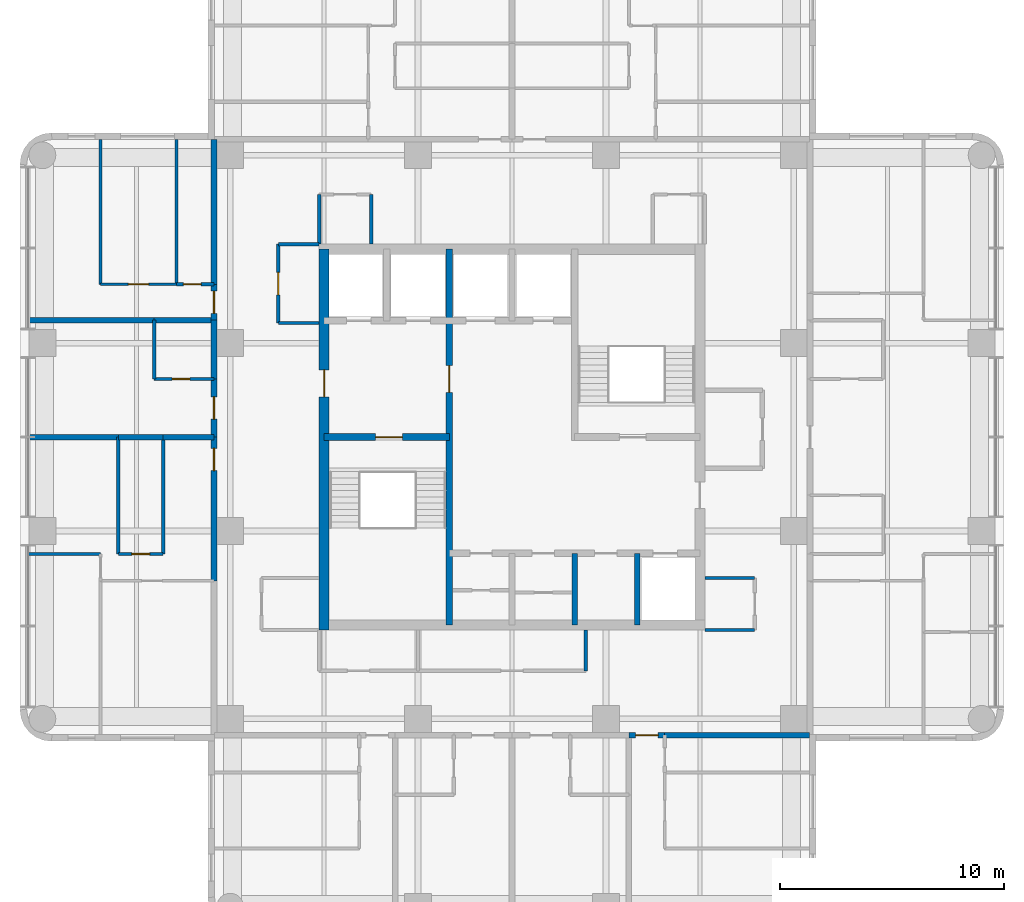
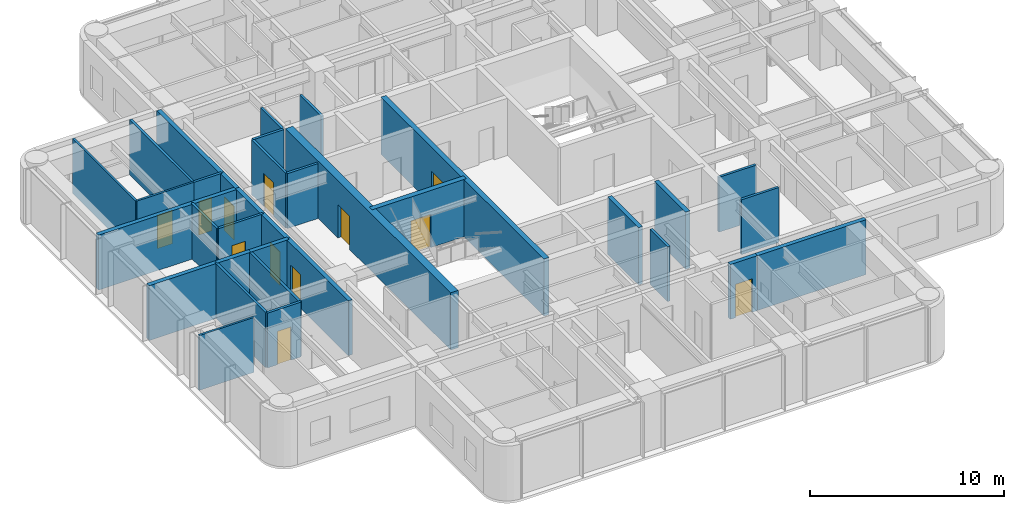
# One storey, part 5 of 10: 35 walls, 12 doors, 12 openings.
"""IFC4 building model written with IfcOpenShell, lengths in metres."""

from ifc_helpers import new_model, si_unit, direction, frame, frame_2d, origin, place, context, subcontext, project, spatial, rectangle, extrude, material, layer, layer_set, type_object, element, fill, save


model = new_model("IFC4")

# Units and contexts
model_context = context("Model", 3, precision=1e-05, world=origin(), true_north=direction((0.0, 1.0)))
body_context = subcontext(model_context, "Body", "Model", "MODEL_VIEW")
ifc_project = project(units=[si_unit("LENGTHUNIT", "METRE"), si_unit("AREAUNIT", "SQUARE_METRE"), si_unit("VOLUMEUNIT", "CUBIC_METRE"), si_unit("PLANEANGLEUNIT", "RADIAN"), si_unit("MASSUNIT", "GRAM", prefix="KILO")], contexts=[model_context])

# Site, building, storey
site_placement = place(None, origin())
site = spatial("IfcSite", under=ifc_project, at=site_placement, CompositionType="ELEMENT")
building_placement = place(site_placement, origin())
building = spatial("IfcBuilding", under=site, at=building_placement, Name="Torre Alcanfor", CompositionType="ELEMENT")
storey_placement = place(building_placement, frame((0.0, 0.0, 282.89990234375)))
storey = spatial("IfcBuildingStorey", under=building, at=storey_placement, Name="L74", CompositionType="ELEMENT", Elevation=282.89990234375)

# Wall, opening, door
ifc_material_1 = material(Name="Concrete block masonry, hollow blocks NMX-C-404 9 MPa", Category="masonry")
ifc_layer_1 = layer(ifc_material_1, 0.25)
ifc_layer_set_1 = layer_set([ifc_layer_1], Name="Apartment entrance wall 250 EI 60")
wall_type_1 = type_object("IfcWallType", Name="Apartment entrance wall 250 EI 60", PredefinedType="PARTITIONING", material=ifc_layer_set_1)
wall_1_placement = place(storey_placement, frame((36.22900390625, 16.074951171875, 0.0), z_axis=(0.0, 0.0, 1.0), x_axis=(-1.0, 0.0, 0.0)))
wall_1 = element("IfcWall", 1, at=wall_1_placement, inside=storey, type_object=wall_type_1, Name="Partition L74-CORR / L74-S1B-LIVING", PredefinedType="PARTITIONING", context=body_context, shape_type="SweptSolid", body=[
    extrude(rectangle(XDim=1.60009765625, YDim=0.25, at=frame_2d((0.800048828125, 0.0))), origin(), (0.0, 0.0, 1.0), 3.4501953125),
])
opening_1_placement = place(wall_1_placement, frame((0.300048828125, 0.0, 0.0)))
opening_1 = element("IfcOpeningElement", 2, at=opening_1_placement, cuts=wall_1, Name="Opening D-A1", PredefinedType="OPENING", context=body_context, shape_type="SweptSolid", body=[
    extrude(rectangle(XDim=1.0, YDim=2.10009765625, at=frame_2d((0.5, 1.050048828125))), frame((0.0, 0.135009765625, 0.0), z_axis=(0.0, -1.0, 0.0), x_axis=(1.0, 0.0, 0.0)), (0.0, 0.0, 1.0), 0.27001953125),
])
ifc_material_2 = material(Name="Galvanised steel sheet ASTM A653", Category="steel")
door_type_1 = type_object("IfcDoorType", Name="Apartment entrance door FD60 1000x2100", OperationType="SINGLE_SWING_LEFT", PredefinedType="DOOR", material=ifc_material_2)
door_1_placement = place(opening_1_placement, origin())
door_1 = element("IfcDoor", 3, at=door_1_placement, inside=storey, type_object=door_type_1, Name="Apartment entrance L74-S1B", OperationType="SINGLE_SWING_LEFT", OverallHeight=2.10009765625, OverallWidth=1.0, PredefinedType="DOOR", context=body_context, shape_type="SweptSolid", body=[
    extrude(rectangle(XDim=1.0, YDim=2.10009765625, at=frame_2d((0.5, 1.050048828125))), frame((0.0, 0.02490234375, 0.0), z_axis=(0.0, -1.0, 0.0), x_axis=(1.0, 0.0, 0.0)), (0.0, 0.0, 1.0), 0.050048828125),
])
fill(opening_1, door_1)

# Wall
wall_2_placement = place(storey_placement, frame((42.699951171875, 16.074951171875, 0.0), z_axis=(0.0, 0.0, 1.0), x_axis=(-1.0, 0.0, 0.0)))
element("IfcWall", 4, at=wall_2_placement, inside=storey, type_object=wall_type_1, Name="Partition L74-CORR / L74-S1B-BATH", PredefinedType="PARTITIONING", context=body_context, shape_type="SweptSolid", body=[
    extrude(rectangle(XDim=6.470947265625, YDim=0.25, at=frame_2d((3.2353515625, 0.0))), origin(), (0.0, 0.0, 1.0), 3.4501953125),
])

# Wall, opening, door
wall_3_placement = place(storey_placement, frame((16.074951171875, 22.970947265625, 0.0), z_axis=(0.0, 0.0, 1.0), x_axis=(0.0, 1.0, 0.0)))
wall_3 = element("IfcWall", 5, at=wall_3_placement, inside=storey, type_object=wall_type_1, Name="Partition L74-CORR / L74-W1-LIVING", PredefinedType="PARTITIONING", context=body_context, shape_type="SweptSolid", body=[
    extrude(rectangle(XDim=6.428955078125, YDim=0.25, at=frame_2d((3.21435546875, 0.0))), origin(), (0.0, 0.0, 1.0), 3.4501953125),
])
opening_2_placement = place(wall_3_placement, frame((4.928955078125, 0.0, 0.0)))
opening_2 = element("IfcOpeningElement", 6, at=opening_2_placement, cuts=wall_3, Name="Opening D-A1", PredefinedType="OPENING", context=body_context, shape_type="SweptSolid", body=[
    extrude(rectangle(XDim=1.0, YDim=2.10009765625, at=frame_2d((0.5, 1.050048828125))), frame((0.0, 0.135009765625, 0.0), z_axis=(0.0, -1.0, 0.0), x_axis=(1.0, 0.0, 0.0)), (0.0, 0.0, 1.0), 0.27001953125),
])
door_2_placement = place(opening_2_placement, origin())
door_2 = element("IfcDoor", 7, at=door_2_placement, inside=storey, type_object=door_type_1, Name="Apartment entrance L74-W1", OperationType="SINGLE_SWING_RIGHT", OverallHeight=2.10009765625, OverallWidth=1.0, PredefinedType="DOOR", context=body_context, shape_type="SweptSolid", body=[
    extrude(rectangle(XDim=1.0, YDim=2.10009765625, at=frame_2d((0.5, 1.050048828125))), frame((0.0, 0.02490234375, 0.0), z_axis=(0.0, -1.0, 0.0), x_axis=(1.0, 0.0, 0.0)), (0.0, 0.0, 1.0), 0.050048828125),
])
fill(opening_2, door_2)

wall_4_placement = place(storey_placement, frame((16.074951171875, 29.39990234375, 0.0), z_axis=(0.0, 0.0, 1.0), x_axis=(0.0, 1.0, 0.0)))
wall_4 = element("IfcWall", 8, at=wall_4_placement, inside=storey, type_object=wall_type_1, Name="Partition L74-CORR / L74-W2A-STUDIO", PredefinedType="PARTITIONING", context=body_context, shape_type="SweptSolid", body=[
    extrude(rectangle(XDim=2.60009765625, YDim=0.25, at=frame_2d((1.300048828125, 0.0))), origin(), (0.0, 0.0, 1.0), 3.4501953125),
])
opening_3_placement = place(wall_4_placement, frame((0.800048828125, 0.0, 0.0)))
opening_3 = element("IfcOpeningElement", 9, at=opening_3_placement, cuts=wall_4, Name="Opening D-A1", PredefinedType="OPENING", context=body_context, shape_type="SweptSolid", body=[
    extrude(rectangle(XDim=1.0, YDim=2.10009765625, at=frame_2d((0.5, 1.050048828125))), frame((0.0, 0.135009765625, 0.0), z_axis=(0.0, -1.0, 0.0), x_axis=(1.0, 0.0, 0.0)), (0.0, 0.0, 1.0), 0.27001953125),
])
door_3_placement = place(opening_3_placement, origin())
door_3 = element("IfcDoor", 10, at=door_3_placement, inside=storey, type_object=door_type_1, Name="Apartment entrance L74-W2A", OperationType="SINGLE_SWING_LEFT", OverallHeight=2.10009765625, OverallWidth=1.0, PredefinedType="DOOR", context=body_context, shape_type="SweptSolid", body=[
    extrude(rectangle(XDim=1.0, YDim=2.10009765625, at=frame_2d((0.5, 1.050048828125))), frame((0.0, 0.02490234375, 0.0), z_axis=(0.0, -1.0, 0.0), x_axis=(1.0, 0.0, 0.0)), (0.0, 0.0, 1.0), 0.050048828125),
])
fill(opening_3, door_3)

# Wall
wall_5_placement = place(storey_placement, frame((16.074951171875, 32.0, 0.0), z_axis=(0.0, 0.0, 1.0), x_axis=(0.0, 1.0, 0.0)))
element("IfcWall", 11, at=wall_5_placement, inside=storey, type_object=wall_type_1, Name="Partition L74-CORR / L74-W2A-BATH", PredefinedType="PARTITIONING", context=body_context, shape_type="SweptSolid", body=[
    extrude(rectangle(XDim=2.62890625, YDim=0.25, at=frame_2d((1.314453125, 0.0))), origin(), (0.0, 0.0, 1.0), 3.4501953125),
])

# Wall, opening, door
wall_6_placement = place(storey_placement, frame((16.074951171875, 34.62890625, 0.0), z_axis=(0.0, 0.0, 1.0), x_axis=(0.0, 1.0, 0.0)))
wall_6 = element("IfcWall", 12, at=wall_6_placement, inside=storey, type_object=wall_type_1, Name="Partition L74-CORR / L74-W2B-LIVING", PredefinedType="PARTITIONING", context=body_context, shape_type="SweptSolid", body=[
    extrude(rectangle(XDim=1.60009765625, YDim=0.25, at=frame_2d((0.800048828125, 0.0))), origin(), (0.0, 0.0, 1.0), 3.4501953125),
])
opening_4_placement = place(wall_6_placement, frame((0.300048828125, 0.0, 0.0)))
opening_4 = element("IfcOpeningElement", 13, at=opening_4_placement, cuts=wall_6, Name="Opening D-A1", PredefinedType="OPENING", context=body_context, shape_type="SweptSolid", body=[
    extrude(rectangle(XDim=1.0, YDim=2.10009765625, at=frame_2d((0.5, 1.050048828125))), frame((0.0, 0.135009765625, 0.0), z_axis=(0.0, -1.0, 0.0), x_axis=(1.0, 0.0, 0.0)), (0.0, 0.0, 1.0), 0.27001953125),
])
door_4_placement = place(opening_4_placement, origin())
door_4 = element("IfcDoor", 14, at=door_4_placement, inside=storey, type_object=door_type_1, Name="Apartment entrance L74-W2B", OperationType="SINGLE_SWING_LEFT", OverallHeight=2.10009765625, OverallWidth=1.0, PredefinedType="DOOR", context=body_context, shape_type="SweptSolid", body=[
    extrude(rectangle(XDim=1.0, YDim=2.10009765625, at=frame_2d((0.5, 1.050048828125))), frame((0.0, 0.02490234375, 0.0), z_axis=(0.0, -1.0, 0.0), x_axis=(1.0, 0.0, 0.0)), (0.0, 0.0, 1.0), 0.050048828125),
])
fill(opening_4, door_4)

# Walls
wall_7_placement = place(storey_placement, frame((16.074951171875, 36.22900390625, 0.0), z_axis=(0.0, 0.0, 1.0), x_axis=(0.0, 1.0, 0.0)))
element("IfcWall", 15, at=wall_7_placement, inside=storey, type_object=wall_type_1, Name="Partition L74-CORR / L74-W2B-BATH", PredefinedType="PARTITIONING", context=body_context, shape_type="SweptSolid", body=[
    extrude(rectangle(XDim=6.470947265625, YDim=0.25, at=frame_2d((3.2353515625, 0.0))), origin(), (0.0, 0.0, 1.0), 3.4501953125),
])
ifc_material_3 = material(Name="Gypsum board on steel studs", Category="steel")
ifc_layer_2 = layer(ifc_material_3, 0.1201171875)
ifc_layer_set_2 = layer_set([ifc_layer_2], Name="Apartment partition 120")
wall_type_2 = type_object("IfcWallType", Name="Apartment partition 120", PredefinedType="PARTITIONING", material=ifc_layer_set_2)
wall_8_placement = place(storey_placement, frame((11.0, 24.1708984375, 0.0), z_axis=(0.0, 0.0, 1.0), x_axis=(-1.0, 0.0, 0.0)))
element("IfcWall", 16, at=wall_8_placement, inside=storey, type_object=wall_type_2, Name="Partition L74-W1-LIVING / L74-W1-MASTER", PredefinedType="PARTITIONING", context=body_context, shape_type="SweptSolid", body=[
    extrude(rectangle(XDim=3.25, YDim=0.1201171875, at=frame_2d((1.625, 0.0))), origin(), (0.0, 0.0, 1.0), 3.4501953125),
])
wall_9_placement = place(storey_placement, frame((11.0, 42.699951171875, 0.0), z_axis=(0.0, 0.0, 1.0), x_axis=(0.0, -1.0, 0.0)))
element("IfcWall", 17, at=wall_9_placement, inside=storey, type_object=wall_type_2, Name="Partition L74-W2B-LIVING / L74-W2B-MASTER", PredefinedType="PARTITIONING", context=body_context, shape_type="SweptSolid", body=[
    extrude(rectangle(XDim=6.470947265625, YDim=0.1201171875, at=frame_2d((3.2353515625, 0.0))), origin(), (0.0, 0.0, 1.0), 3.4501953125),
])

# Wall, opening, door
wall_10_placement = place(storey_placement, frame((11.0, 36.22900390625, 0.0), z_axis=(0.0, 0.0, 1.0), x_axis=(1.0, 0.0, 0.0)))
wall_10 = element("IfcWall", 18, at=wall_10_placement, inside=storey, type_object=wall_type_2, Name="Partition L74-W2B-LIVING / L74-W2B-MASTER", PredefinedType="PARTITIONING", context=body_context, shape_type="SweptSolid", body=[
    extrude(rectangle(XDim=3.39990234375, YDim=0.1201171875, at=frame_2d((1.699951171875, 0.0))), origin(), (0.0, 0.0, 1.0), 3.4501953125),
])
opening_5_placement = place(wall_10_placement, frame((1.25, 0.0, 0.0)))
opening_5 = element("IfcOpeningElement", 19, at=opening_5_placement, cuts=wall_10, Name="Opening D-R1", PredefinedType="OPENING", context=body_context, shape_type="SweptSolid", body=[
    extrude(rectangle(XDim=0.89990234375, YDim=2.10009765625, at=frame_2d((0.449951171875, 1.050048828125))), frame((0.0, 0.070068359375, 0.0), z_axis=(0.0, -1.0, 0.0), x_axis=(1.0, 0.0, 0.0)), (0.0, 0.0, 1.0), 0.14013671875),
])
ifc_material_4 = material(Name="Timber", Category="wood")
door_type_2 = type_object("IfcDoorType", Name="Internal door 900x2100", OperationType="SINGLE_SWING_LEFT", PredefinedType="DOOR", material=ifc_material_4)
door_5_placement = place(opening_5_placement, origin())
door_5 = element("IfcDoor", 20, at=door_5_placement, inside=storey, type_object=door_type_2, Name="Door L74-W2B master", OperationType="SINGLE_SWING_LEFT", OverallHeight=2.10009765625, OverallWidth=0.89990234375, PredefinedType="DOOR", context=body_context, shape_type="SweptSolid", body=[
    extrude(rectangle(XDim=0.89990234375, YDim=2.10009765625, at=frame_2d((0.449951171875, 1.050048828125))), frame((0.0, 0.02490234375, 0.0), z_axis=(0.0, -1.0, 0.0), x_axis=(1.0, 0.0, 0.0)), (0.0, 0.0, 1.0), 0.050048828125),
])
fill(opening_5, door_5)

ifc_material_5 = material(Name="Concrete f'c 70 MPa", Category="concrete")
ifc_layer_3 = layer(ifc_material_5, 0.300048828125)
ifc_layer_set_3 = layer_set([ifc_layer_3], Name="Core inner wall 300 f'c70")
wall_type_3 = type_object("IfcWallType", Name="Core inner wall 300 f'c70", PredefinedType="SHEAR", material=ifc_layer_set_3)
wall_11_placement = place(storey_placement, frame((26.60009765625, 21.0, 0.0), z_axis=(0.0, 0.0, 1.0), x_axis=(0.0, 1.0, 0.0)))
wall_11 = element("IfcWall", 21, at=wall_11_placement, inside=storey, type_object=wall_type_3, Name="Core wall X266 L74", PredefinedType="SHEAR", context=body_context, shape_type="SweptSolid", body=[
    extrude(rectangle(XDim=16.800048828125, YDim=0.300048828125, at=frame_2d((8.39990234375, 0.0))), origin(), (0.0, 0.0, 1.0), 3.60009765625),
])
opening_6_placement = place(wall_11_placement, frame((10.39990234375, 0.0, 0.0)))
opening_6 = element("IfcOpeningElement", 22, at=opening_6_placement, cuts=wall_11, Name="Opening D-L1", PredefinedType="OPENING", context=body_context, shape_type="SweptSolid", body=[
    extrude(rectangle(XDim=1.199951171875, YDim=2.10009765625, at=frame_2d((0.60009765625, 1.050048828125))), frame((0.0, 0.159912109375, 0.0), z_axis=(0.0, -1.0, 0.0), x_axis=(1.0, 0.0, 0.0)), (0.0, 0.0, 1.0), 0.320068359375),
])
ifc_material_6 = material(Name="Galvanised steel sheet ASTM A653", Category="steel")
door_type_3 = type_object("IfcDoorType", Name="Lobby door FD120 1200x2100", OperationType="SINGLE_SWING_LEFT", PredefinedType="DOOR", material=ifc_material_6)
door_6_placement = place(opening_6_placement, origin())
door_6 = element("IfcDoor", 23, at=door_6_placement, inside=storey, type_object=door_type_3, Name="Lift lobby door L74", OperationType="SINGLE_SWING_LEFT", OverallHeight=2.10009765625, OverallWidth=1.199951171875, PredefinedType="DOOR", context=body_context, shape_type="SweptSolid", body=[
    extrude(rectangle(XDim=1.199951171875, YDim=2.10009765625, at=frame_2d((0.60009765625, 1.050048828125))), frame((0.0, 0.02490234375, 0.0), z_axis=(0.0, -1.0, 0.0), x_axis=(1.0, 0.0, 0.0)), (0.0, 0.0, 1.0), 0.050048828125),
])
fill(opening_6, door_6)

wall_12_placement = place(storey_placement, frame((21.0, 29.39990234375, 0.0), z_axis=(0.0, 0.0, 1.0), x_axis=(1.0, 0.0, 0.0)))
wall_12 = element("IfcWall", 24, at=wall_12_placement, inside=storey, type_object=wall_type_3, Name="Core wall Y294W L74", PredefinedType="SHEAR", context=body_context, shape_type="SweptSolid", body=[
    extrude(rectangle(XDim=5.60009765625, YDim=0.300048828125, at=frame_2d((2.800048828125, 0.0))), origin(), (0.0, 0.0, 1.0), 3.60009765625),
])
opening_7_placement = place(wall_12_placement, frame((2.300048828125, 0.0, 0.0)))
opening_7 = element("IfcOpeningElement", 25, at=opening_7_placement, cuts=wall_12, Name="Opening D-S2", PredefinedType="OPENING", context=body_context, shape_type="SweptSolid", body=[
    extrude(rectangle(XDim=1.199951171875, YDim=2.10009765625, at=frame_2d((0.60009765625, 1.050048828125))), frame((0.0, 0.159912109375, 0.0), z_axis=(0.0, -1.0, 0.0), x_axis=(1.0, 0.0, 0.0)), (0.0, 0.0, 1.0), 0.320068359375),
])
ifc_material_7 = material(Name="Galvanised steel sheet ASTM A653", Category="steel")
door_type_4 = type_object("IfcDoorType", Name="Stair enclosure door FD120 1200x2100", OperationType="SINGLE_SWING_LEFT", PredefinedType="DOOR", material=ifc_material_7)
door_7_placement = place(opening_7_placement, frame((1.199951171875, 0.0, 0.0), z_axis=(0.0, 0.0, 1.0), x_axis=(-1.0, 0.0, 0.0)))
door_7 = element("IfcDoor", 26, at=door_7_placement, inside=storey, type_object=door_type_4, Name="Stair S1 door L74", OperationType="SINGLE_SWING_LEFT", OverallHeight=2.10009765625, OverallWidth=1.199951171875, PredefinedType="DOOR", context=body_context, shape_type="SweptSolid", body=[
    extrude(rectangle(XDim=1.199951171875, YDim=2.10009765625, at=frame_2d((0.599853515625, 1.050048828125))), frame((0.0, 0.025146484375, 0.0), z_axis=(0.0, -1.0, 0.0), x_axis=(1.0, 0.0, 0.0)), (0.0, 0.0, 1.0), 0.050048828125),
])
fill(opening_7, door_7)

# Walls
ifc_material_8 = material(Name="Concrete f'c 70 MPa", Category="concrete")
ifc_layer_4 = layer(ifc_material_8, 0.25)
ifc_layer_set_4 = layer_set([ifc_layer_4], Name="Core shaft wall 250 f'c70")
wall_type_4 = type_object("IfcWallType", Name="Core shaft wall 250 f'c70", PredefinedType="SHEAR", material=ifc_layer_set_4)
for number, where, z_axis, x_axis, name in (
    (27, (32.199951171875, 21.0, 0.0), (0.0, 0.0, 1.0), (0.0, 1.0, 0.0), "Core wall X322S L74"),
    (28, (35.0, 21.0, 0.0), (0.0, 0.0, 1.0), (0.0, 1.0, 0.0), "Core wall X350S L74"),
):
    element("IfcWall", number, at=place(storey_placement, frame(where, z_axis=z_axis, x_axis=x_axis)), inside=storey, type_object=wall_type_4, Name=name, PredefinedType="SHEAR", context=body_context, shape_type="SweptSolid", body=[
        extrude(rectangle(XDim=3.199951171875, YDim=0.25, at=frame_2d((1.60009765625, 0.0))), origin(), (0.0, 0.0, 1.0), 3.60009765625),
    ])

# Wall, opening, door
ifc_material_9 = material(Name="Concrete f'c 70 MPa", Category="concrete")
ifc_layer_5 = layer(ifc_material_9, 0.449951171875)
ifc_layer_set_5 = layer_set([ifc_layer_5], Name="Core wall 450 f'c70")
wall_type_5 = type_object("IfcWallType", Name="Core wall 450 f'c70", PredefinedType="SHEAR", material=ifc_layer_set_5)
wall_13_placement = place(storey_placement, frame((21.0, 37.800048828125, 0.0), z_axis=(0.0, 0.0, 1.0), x_axis=(0.0, -1.0, 0.0)))
wall_13 = element("IfcWall", 29, at=wall_13_placement, inside=storey, type_object=wall_type_5, Name="Core wall OUT-W L74", PredefinedType="SHEAR", context=body_context, shape_type="SweptSolid", body=[
    extrude(rectangle(XDim=17.025146484375, YDim=0.449951171875, at=frame_2d((8.5126953125, 0.0))), origin(), (0.0, 0.0, 1.0), 3.60009765625),
])
opening_8_placement = place(wall_13_placement, frame((5.39990234375, 0.0, 0.0)))
opening_8 = element("IfcOpeningElement", 30, at=opening_8_placement, cuts=wall_13, Name="Opening D-L1", PredefinedType="OPENING", context=body_context, shape_type="SweptSolid", body=[
    extrude(rectangle(XDim=1.199951171875, YDim=2.10009765625, at=frame_2d((0.60009765625, 1.050048828125))), frame((0.0, 0.23486328125, 0.0), z_axis=(0.0, -1.0, 0.0), x_axis=(1.0, 0.0, 0.0)), (0.0, 0.0, 1.0), 0.469970703125),
])
door_8_placement = place(opening_8_placement, origin())
door_8 = element("IfcDoor", 31, at=door_8_placement, inside=storey, type_object=door_type_3, Name="Firefighting lobby door L74", OperationType="SINGLE_SWING_RIGHT", OverallHeight=2.10009765625, OverallWidth=1.199951171875, PredefinedType="DOOR", context=body_context, shape_type="SweptSolid", body=[
    extrude(rectangle(XDim=1.199951171875, YDim=2.10009765625, at=frame_2d((0.60009765625, 1.050048828125))), frame((0.0, 0.02490234375, 0.0), z_axis=(0.0, -1.0, 0.0), x_axis=(1.0, 0.0, 0.0)), (0.0, 0.0, 1.0), 0.050048828125),
])
fill(opening_8, door_8)

# Walls
ifc_material_10 = material(Name="Concrete block masonry, hollow blocks NMX-C-404 9 MPa", Category="masonry")
ifc_layer_6 = layer(ifc_material_10, 0.25)
ifc_layer_set_6 = layer_set([ifc_layer_6], Name="Party wall 250 EI 60")
wall_type_6 = type_object("IfcWallType", Name="Party wall 250 EI 60", PredefinedType="PARTITIONING", material=ifc_layer_set_6)
wall_14_placement = place(storey_placement, frame((13.800048828125, 29.39990234375, 0.0), z_axis=(0.0, 0.0, 1.0), x_axis=(-1.0, 0.0, 0.0)))
element("IfcWall", 32, at=wall_14_placement, inside=storey, type_object=wall_type_6, Name="Partition L74-W1-BATH / L74-W2A-STUDIO", PredefinedType="PARTITIONING", context=body_context, shape_type="SweptSolid", body=[
    extrude(rectangle(XDim=2.0, YDim=0.25, at=frame_2d((1.0, 0.0))), origin(), (0.0, 0.0, 1.0), 3.4501953125),
])
wall_15_placement = place(storey_placement, frame((7.75, 29.39990234375, 0.0), z_axis=(0.0, 0.0, 1.0), x_axis=(1.0, 0.0, 0.0)))
element("IfcWall", 33, at=wall_15_placement, inside=storey, type_object=wall_type_6, Name="Partition L74-W1-LIVING / L74-W2A-STUDIO", PredefinedType="PARTITIONING", context=body_context, shape_type="SweptSolid", body=[
    extrude(rectangle(XDim=4.050048828125, YDim=0.25, at=frame_2d((2.02490234375, 0.0))), origin(), (0.0, 0.0, 1.0), 3.4501953125),
])
wall_16_placement = place(storey_placement, frame((13.800048828125, 29.39990234375, 0.0), z_axis=(0.0, 0.0, 1.0), x_axis=(1.0, 0.0, 0.0)))
element("IfcWall", 34, at=wall_16_placement, inside=storey, type_object=wall_type_6, Name="Partition L74-W1-LIVING / L74-W2A-STUDIO", PredefinedType="PARTITIONING", context=body_context, shape_type="SweptSolid", body=[
    extrude(rectangle(XDim=2.27490234375, YDim=0.25, at=frame_2d((1.137451171875, 0.0))), origin(), (0.0, 0.0, 1.0), 3.4501953125),
])
wall_17_placement = place(storey_placement, frame((7.75, 34.62890625, 0.0), z_axis=(0.0, 0.0, 1.0), x_axis=(1.0, 0.0, 0.0)))
element("IfcWall", 35, at=wall_17_placement, inside=storey, type_object=wall_type_6, Name="Partition L74-W2A-STUDIO / L74-W2B-LIVING", PredefinedType="PARTITIONING", context=body_context, shape_type="SweptSolid", body=[
    extrude(rectangle(XDim=5.64990234375, YDim=0.25, at=frame_2d((2.824951171875, 0.0))), origin(), (0.0, 0.0, 1.0), 3.4501953125),
])
wall_18_placement = place(storey_placement, frame((13.39990234375, 34.62890625, 0.0), z_axis=(0.0, 0.0, 1.0), x_axis=(1.0, 0.0, 0.0)))
element("IfcWall", 36, at=wall_18_placement, inside=storey, type_object=wall_type_6, Name="Partition L74-W2A-BATH / L74-W2B-LIVING", PredefinedType="PARTITIONING", context=body_context, shape_type="SweptSolid", body=[
    extrude(rectangle(XDim=2.675048828125, YDim=0.25, at=frame_2d((1.33740234375, 0.0))), origin(), (0.0, 0.0, 1.0), 3.4501953125),
])
ifc_material_11 = material(Name="Concrete block masonry, hollow blocks NMX-C-404 9 MPa", Category="masonry")
ifc_layer_7 = layer(ifc_material_11, 0.14990234375)
ifc_layer_set_7 = layer_set([ifc_layer_7], Name="Residents' room partition 150")
wall_type_7 = type_object("IfcWallType", Name="Residents' room partition 150", PredefinedType="PARTITIONING", material=ifc_layer_set_7)
for number, where, z_axis, x_axis, name in (
    (37, (23.10009765625, 38.02490234375, 0.0), (0.0, 0.0, 1.0), (0.0, 1.0, 0.0), "Partition L74-CORR / L74-G01"),
    (38, (20.77490234375, 40.25, 0.0), (0.0, 0.0, 1.0), (0.0, -1.0, 0.0), "Partition L74-CORR / L74-G01"),
    (39, (38.02490234375, 20.77490234375, 0.0), (0.0, 0.0, 1.0), (1.0, 0.0, 0.0), "Partition L74-CORR / L74-G03"),
    (40, (40.25, 23.10009765625, 0.0), (0.0, 0.0, 1.0), (-1.0, 0.0, 0.0), "Partition L74-CORR / L74-G03"),
):
    element("IfcWall", number, at=place(storey_placement, frame(where, z_axis=z_axis, x_axis=x_axis)), inside=storey, type_object=wall_type_7, Name=name, PredefinedType="PARTITIONING", context=body_context, shape_type="SweptSolid", body=[
        extrude(rectangle(XDim=2.22509765625, YDim=0.14990234375, at=frame_2d((1.112548828125, 0.0))), origin(), (0.0, 0.0, 1.0), 3.4501953125),
    ])
for number, where, z_axis, x_axis, name in (
    (41, (32.699951171875, 18.949951171875, 0.0), (0.0, 0.0, 1.0), (0.0, 1.0, 0.0), "Partition L74-CORR / L74-G06"),
    (42, (20.77490234375, 38.02490234375, 0.0), (0.0, 0.0, 1.0), (-1.0, 0.0, 0.0), "Partition L74-CORR / L74-G08"),
):
    element("IfcWall", number, at=place(storey_placement, frame(where, z_axis=z_axis, x_axis=x_axis)), inside=storey, type_object=wall_type_7, Name=name, PredefinedType="PARTITIONING", context=body_context, shape_type="SweptSolid", body=[
        extrude(rectangle(XDim=1.824951171875, YDim=0.14990234375, at=frame_2d((0.91259765625, 0.0))), origin(), (0.0, 0.0, 1.0), 3.4501953125),
    ])

# Wall, opening, door
wall_19_placement = place(storey_placement, frame((18.949951171875, 38.02490234375, 0.0), z_axis=(0.0, 0.0, 1.0), x_axis=(0.0, -1.0, 0.0)))
wall_19 = element("IfcWall", 43, at=wall_19_placement, inside=storey, type_object=wall_type_7, Name="Partition L74-CORR / L74-G08", PredefinedType="PARTITIONING", context=body_context, shape_type="SweptSolid", body=[
    extrude(rectangle(XDim=3.52490234375, YDim=0.14990234375, at=frame_2d((1.762451171875, 0.0))), origin(), (0.0, 0.0, 1.0), 3.4501953125),
])
opening_9_placement = place(wall_19_placement, frame((1.262451171875, 0.0, 0.0)))
opening_9 = element("IfcOpeningElement", 44, at=opening_9_placement, cuts=wall_19, Name="Opening D-M1", PredefinedType="OPENING", context=body_context, shape_type="SweptSolid", body=[
    extrude(rectangle(XDim=1.0, YDim=2.10009765625, at=frame_2d((0.5, 1.050048828125))), frame((0.0, 0.0849609375, 0.0), z_axis=(0.0, -1.0, 0.0), x_axis=(1.0, 0.0, 0.0)), (0.0, 0.0, 1.0), 0.169921875),
])
ifc_material_12 = material(Name="Timber", Category="wood")
door_type_5 = type_object("IfcDoorType", Name="Residents' room door 1000x2100", OperationType="SINGLE_SWING_LEFT", PredefinedType="DOOR", material=ifc_material_12)
door_9_placement = place(opening_9_placement, origin())
door_9 = element("IfcDoor", 45, at=door_9_placement, inside=storey, type_object=door_type_5, Name="Door L74-G08 parcel room", OperationType="SINGLE_SWING_LEFT", OverallHeight=2.10009765625, OverallWidth=1.0, PredefinedType="DOOR", context=body_context, shape_type="SweptSolid", body=[
    extrude(rectangle(XDim=1.0, YDim=2.10009765625, at=frame_2d((0.5, 1.050048828125))), frame((0.0, 0.02490234375, 0.0), z_axis=(0.0, -1.0, 0.0), x_axis=(1.0, 0.0, 0.0)), (0.0, 0.0, 1.0), 0.050048828125),
])
fill(opening_9, door_9)

# Walls
wall_20_placement = place(storey_placement, frame((18.949951171875, 34.5, 0.0), z_axis=(0.0, 0.0, 1.0), x_axis=(1.0, 0.0, 0.0)))
element("IfcWall", 46, at=wall_20_placement, inside=storey, type_object=wall_type_7, Name="Partition L74-CORR / L74-G08", PredefinedType="PARTITIONING", context=body_context, shape_type="SweptSolid", body=[
    extrude(rectangle(XDim=1.824951171875, YDim=0.14990234375, at=frame_2d((0.91259765625, 0.0))), origin(), (0.0, 0.0, 1.0), 3.4501953125),
])
ifc_material_13 = material(Name="Cement board on steel studs", Category="steel")
ifc_layer_8 = layer(ifc_material_13, 0.14990234375)
ifc_layer_set_8 = layer_set([ifc_layer_8], Name="Wet area partition 150")
wall_type_8 = type_object("IfcWallType", Name="Wet area partition 150", PredefinedType="PARTITIONING", material=ifc_layer_set_8)
wall_21_placement = place(storey_placement, frame((11.800048828125, 29.39990234375, 0.0), z_axis=(0.0, 0.0, 1.0), x_axis=(0.0, -1.0, 0.0)))
element("IfcWall", 47, at=wall_21_placement, inside=storey, type_object=wall_type_8, Name="Partition L74-W1-BATH / L74-W1-LIVING", PredefinedType="PARTITIONING", context=body_context, shape_type="SweptSolid", body=[
    extrude(rectangle(XDim=5.22900390625, YDim=0.14990234375, at=frame_2d((2.614501953125, 0.0))), origin(), (0.0, 0.0, 1.0), 3.4501953125),
])

# Wall, opening, door
wall_22_placement = place(storey_placement, frame((11.800048828125, 24.1708984375, 0.0), z_axis=(0.0, 0.0, 1.0), x_axis=(1.0, 0.0, 0.0)))
wall_22 = element("IfcWall", 48, at=wall_22_placement, inside=storey, type_object=wall_type_8, Name="Partition L74-W1-BATH / L74-W1-LIVING", PredefinedType="PARTITIONING", context=body_context, shape_type="SweptSolid", body=[
    extrude(rectangle(XDim=2.0, YDim=0.14990234375, at=frame_2d((1.0, 0.0))), origin(), (0.0, 0.0, 1.0), 3.4501953125),
])
opening_10_placement = place(wall_22_placement, frame((0.60009765625, 0.0, 0.0)))
opening_10 = element("IfcOpeningElement", 49, at=opening_10_placement, cuts=wall_22, Name="Opening D-R2", PredefinedType="OPENING", context=body_context, shape_type="SweptSolid", body=[
    extrude(rectangle(XDim=0.800048828125, YDim=2.10009765625, at=frame_2d((0.39990234375, 1.050048828125))), frame((0.0, 0.0849609375, 0.0), z_axis=(0.0, -1.0, 0.0), x_axis=(1.0, 0.0, 0.0)), (0.0, 0.0, 1.0), 0.169921875),
])
ifc_material_14 = material(Name="Timber", Category="wood")
door_type_6 = type_object("IfcDoorType", Name="Bathroom door 800x2100", OperationType="SINGLE_SWING_LEFT", PredefinedType="DOOR", material=ifc_material_14)
door_10_placement = place(opening_10_placement, origin())
door_10 = element("IfcDoor", 50, at=door_10_placement, inside=storey, type_object=door_type_6, Name="Door L74-W1 bath", OperationType="SINGLE_SWING_LEFT", OverallHeight=2.10009765625, OverallWidth=0.800048828125, PredefinedType="DOOR", context=body_context, shape_type="SweptSolid", body=[
    extrude(rectangle(XDim=0.800048828125, YDim=2.10009765625, at=frame_2d((0.39990234375, 1.050048828125))), frame((0.0, 0.02490234375, 0.0), z_axis=(0.0, -1.0, 0.0), x_axis=(1.0, 0.0, 0.0)), (0.0, 0.0, 1.0), 0.050048828125),
])
fill(opening_10, door_10)

# Walls
wall_23_placement = place(storey_placement, frame((13.800048828125, 24.1708984375, 0.0), z_axis=(0.0, 0.0, 1.0), x_axis=(0.0, 1.0, 0.0)))
element("IfcWall", 51, at=wall_23_placement, inside=storey, type_object=wall_type_8, Name="Partition L74-W1-BATH / L74-W1-LIVING", PredefinedType="PARTITIONING", context=body_context, shape_type="SweptSolid", body=[
    extrude(rectangle(XDim=5.22900390625, YDim=0.14990234375, at=frame_2d((2.614501953125, 0.0))), origin(), (0.0, 0.0, 1.0), 3.4501953125),
])
wall_24_placement = place(storey_placement, frame((13.39990234375, 34.62890625, 0.0), z_axis=(0.0, 0.0, 1.0), x_axis=(0.0, -1.0, 0.0)))
element("IfcWall", 52, at=wall_24_placement, inside=storey, type_object=wall_type_8, Name="Partition L74-W2A-STUDIO / L74-W2A-BATH", PredefinedType="PARTITIONING", context=body_context, shape_type="SweptSolid", body=[
    extrude(rectangle(XDim=2.62890625, YDim=0.14990234375, at=frame_2d((1.314453125, 0.0))), origin(), (0.0, 0.0, 1.0), 3.4501953125),
])

# Wall, opening, door
wall_25_placement = place(storey_placement, frame((13.39990234375, 32.0, 0.0), z_axis=(0.0, 0.0, 1.0), x_axis=(1.0, 0.0, 0.0)))
wall_25 = element("IfcWall", 53, at=wall_25_placement, inside=storey, type_object=wall_type_8, Name="Partition L74-W2A-STUDIO / L74-W2A-BATH", PredefinedType="PARTITIONING", context=body_context, shape_type="SweptSolid", body=[
    extrude(rectangle(XDim=2.675048828125, YDim=0.14990234375, at=frame_2d((1.33740234375, 0.0))), origin(), (0.0, 0.0, 1.0), 3.4501953125),
])
opening_11_placement = place(wall_25_placement, frame((0.800048828125, 0.0, 0.0)))
opening_11 = element("IfcOpeningElement", 54, at=opening_11_placement, cuts=wall_25, Name="Opening D-R2", PredefinedType="OPENING", context=body_context, shape_type="SweptSolid", body=[
    extrude(rectangle(XDim=0.800048828125, YDim=2.10009765625, at=frame_2d((0.39990234375, 1.050048828125))), frame((0.0, 0.0849609375, 0.0), z_axis=(0.0, -1.0, 0.0), x_axis=(1.0, 0.0, 0.0)), (0.0, 0.0, 1.0), 0.169921875),
])
door_11_placement = place(opening_11_placement, origin())
door_11 = element("IfcDoor", 55, at=door_11_placement, inside=storey, type_object=door_type_6, Name="Door L74-W2A bath", OperationType="SINGLE_SWING_LEFT", OverallHeight=2.10009765625, OverallWidth=0.800048828125, PredefinedType="DOOR", context=body_context, shape_type="SweptSolid", body=[
    extrude(rectangle(XDim=0.800048828125, YDim=2.10009765625, at=frame_2d((0.39990234375, 1.050048828125))), frame((0.0, 0.02490234375, 0.0), z_axis=(0.0, -1.0, 0.0), x_axis=(1.0, 0.0, 0.0)), (0.0, 0.0, 1.0), 0.050048828125),
])
fill(opening_11, door_11)

wall_26_placement = place(storey_placement, frame((14.39990234375, 36.22900390625, 0.0), z_axis=(0.0, 0.0, 1.0), x_axis=(1.0, 0.0, 0.0)))
wall_26 = element("IfcWall", 56, at=wall_26_placement, inside=storey, type_object=wall_type_8, Name="Partition L74-W2B-LIVING / L74-W2B-BATH", PredefinedType="PARTITIONING", context=body_context, shape_type="SweptSolid", body=[
    extrude(rectangle(XDim=1.675048828125, YDim=0.14990234375, at=frame_2d((0.83740234375, 0.0))), origin(), (0.0, 0.0, 1.0), 3.4501953125),
])
opening_12_placement = place(wall_26_placement, frame((0.300048828125, 0.0, 0.0)))
opening_12 = element("IfcOpeningElement", 57, at=opening_12_placement, cuts=wall_26, Name="Opening D-R2", PredefinedType="OPENING", context=body_context, shape_type="SweptSolid", body=[
    extrude(rectangle(XDim=0.800048828125, YDim=2.10009765625, at=frame_2d((0.39990234375, 1.050048828125))), frame((0.0, 0.0849609375, 0.0), z_axis=(0.0, -1.0, 0.0), x_axis=(1.0, 0.0, 0.0)), (0.0, 0.0, 1.0), 0.169921875),
])
door_12_placement = place(opening_12_placement, origin())
door_12 = element("IfcDoor", 58, at=door_12_placement, inside=storey, type_object=door_type_6, Name="Door L74-W2B bath", OperationType="SINGLE_SWING_LEFT", OverallHeight=2.10009765625, OverallWidth=0.800048828125, PredefinedType="DOOR", context=body_context, shape_type="SweptSolid", body=[
    extrude(rectangle(XDim=0.800048828125, YDim=2.10009765625, at=frame_2d((0.39990234375, 1.050048828125))), frame((0.0, 0.02490234375, 0.0), z_axis=(0.0, -1.0, 0.0), x_axis=(1.0, 0.0, 0.0)), (0.0, 0.0, 1.0), 0.050048828125),
])
fill(opening_12, door_12)

# Wall
wall_27_placement = place(storey_placement, frame((14.39990234375, 36.22900390625, 0.0), z_axis=(0.0, 0.0, 1.0), x_axis=(0.0, 1.0, 0.0)))
element("IfcWall", 59, at=wall_27_placement, inside=storey, type_object=wall_type_8, Name="Partition L74-W2B-BATH / L74-W2B-MASTER", PredefinedType="PARTITIONING", context=body_context, shape_type="SweptSolid", body=[
    extrude(rectangle(XDim=6.470947265625, YDim=0.14990234375, at=frame_2d((3.2353515625, 0.0))), origin(), (0.0, 0.0, 1.0), 3.4501953125),
])

save(model, "model.ifc")
